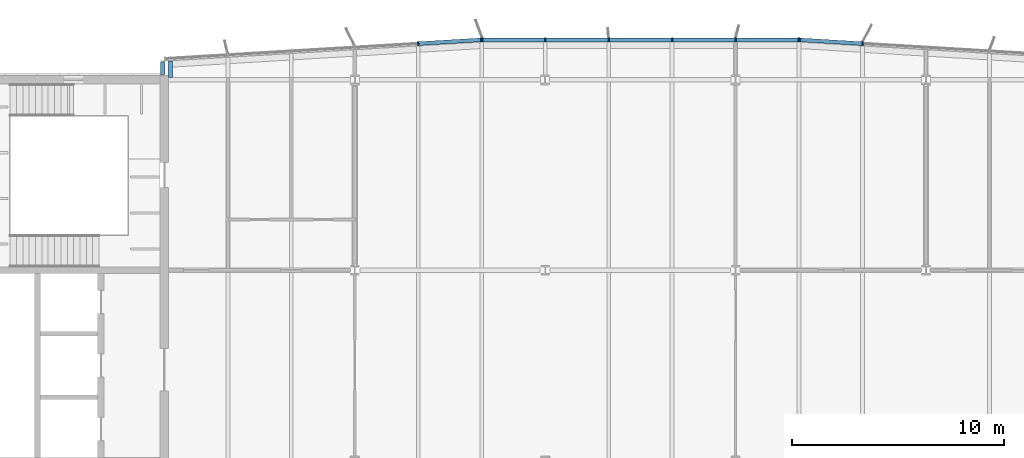
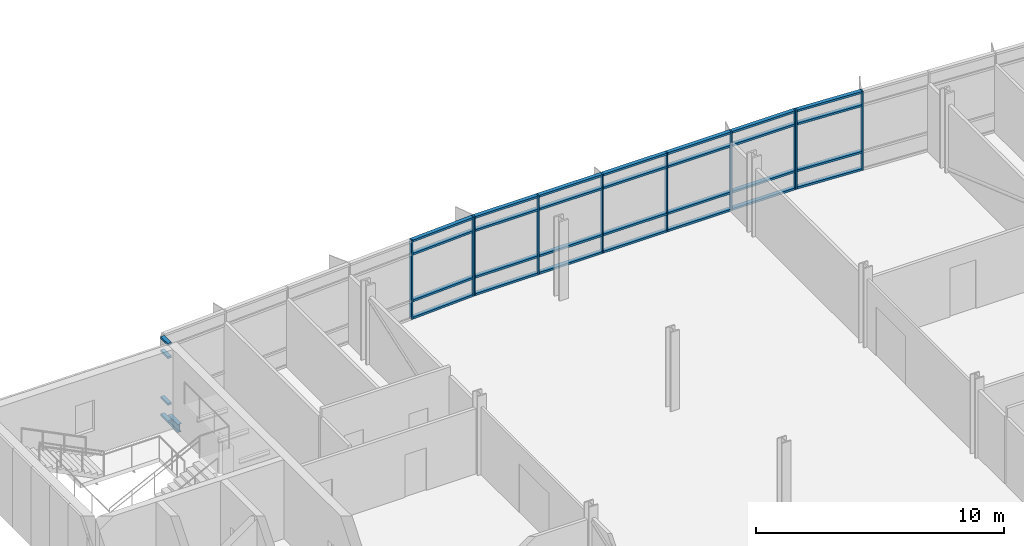
# One storey, part 9 of 21: 42 members, 1 beam, 4 elements without a shape of their own.
"""IFC4 building model written with IfcOpenShell, lengths in metres."""

from ifc_helpers import new_model, si_unit, direction, frame, origin, origin_2d, place, context, subcontext, project, spatial, rectangle, i_section, extrude, material, material_profile, profile_set, type_object, element, aggregate, save


model = new_model("IFC4")

# Units and contexts
model_context = context("Model", 3, precision=1e-05, world=origin(), true_north=direction((0.0, 1.0)))
body_context = subcontext(model_context, "Body", "Model", "MODEL_VIEW")
ifc_project = project(units=[si_unit("LENGTHUNIT", "METRE"), si_unit("AREAUNIT", "SQUARE_METRE"), si_unit("VOLUMEUNIT", "CUBIC_METRE"), si_unit("PLANEANGLEUNIT", "RADIAN"), si_unit("MASSUNIT", "GRAM", prefix="KILO")], contexts=[model_context])

# Site, building, storey
site_placement = place(None, origin())
site = spatial("IfcSite", under=ifc_project, at=site_placement, CompositionType="ELEMENT")
building_placement = place(site_placement, origin())
building = spatial("IfcBuilding", under=site, at=building_placement, Name="Azimuth Sports and Learning Centre", CompositionType="ELEMENT")
storey_placement = place(building_placement, frame((0.0, 0.0, 32.39990234375)))
storey = spatial("IfcBuildingStorey", under=building, at=storey_placement, Name="L06", CompositionType="ELEMENT", Elevation=32.39990234375)

# Beam
ifc_material_1 = material(Name="Steel S355", Category="steel")
ifc_material_profile_1 = material_profile(ifc_material_1, i_section(OverallWidth=0.179931640625, OverallDepth=0.39990234375, WebThickness=0.008544921875, FlangeThickness=0.013427734375, FilletRadius=0.02099609375, at=origin_2d()), Name="IPE 400")
ifc_profile_set_1 = profile_set([ifc_material_profile_1], Name="Steel S355")
beam_type = type_object("IfcBeamType", Name="Cantilever stub IPE 400", PredefinedType="JOIST", material=ifc_profile_set_1)
beam_placement = place(storey_placement, frame((63.2900390625, 117.110107421875, -0.329833984375), z_axis=(0.0, 1.0, 0.0), x_axis=(-1.0, 0.0, 0.0)))
element("IfcBeam", 1, at=beam_placement, inside=storey, type_object=beam_type, Name="Tower cantilever stub", PredefinedType="JOIST", context=body_context, shape_type="SweptSolid", body=[
    extrude(i_section(OverallWidth=0.179931640625, OverallDepth=0.39990234375, WebThickness=0.008544921875, FlangeThickness=0.013427734375, FilletRadius=0.02099609375, at=origin_2d()), origin(), (0.0, 0.0, 1.0), 0.787353515625),
])

# Curtain wall, members
ifc_material_2 = material(Name="Aluminium and glass", Category="aluminium")
curtain_wall_type_1 = type_object("IfcCurtainWallType", Name="Curtain wall tower north 180", PredefinedType="NOTDEFINED", material=ifc_material_2)
curtain_wall_1_placement = place(storey_placement, origin())
curtain_wall_1 = element("IfcCurtainWall", 2, at=curtain_wall_1_placement, inside=storey, type_object=curtain_wall_type_1, Name="Curtain wall CW06-007", PredefinedType="NOTDEFINED")
ifc_material_3 = material(Name="Aluminium", Category="aluminium")
ifc_material_profile_2 = material_profile(ifc_material_3, rectangle(XDim=0.179931640625, YDim=0.06005859375, at=origin_2d()), Name="Mullion 60x180")
ifc_profile_set_2 = profile_set([ifc_material_profile_2], Name="Aluminium")
member_type_1 = type_object("IfcMemberType", Name="Mullion 60x180", PredefinedType="MULLION", material=ifc_profile_set_2)
member_1_placement = place(storey_placement, frame((96.00537109375, 118.709716796875, 0.0), z_axis=(0.0, 0.0, 1.0), x_axis=(-0.059891991812, -0.998204863401, 0.0)))
member_1 = element("IfcMember", 3, at=member_1_placement, type_object=member_type_1, Name="CW06-007 mullion 5", PredefinedType="MULLION", context=body_context, shape_type="SweptSolid", body=[
    extrude(rectangle(XDim=0.179931640625, YDim=0.06005859375, at=origin_2d()), origin(), (0.0, 0.0, 1.0), 3.900146484375),
])
member_2_placement = place(storey_placement, frame((93.035400390625, 118.887939453125, 0.0), z_axis=(0.0, 0.0, 1.0), x_axis=(-0.059891991812, -0.998204863401, 0.0)))
member_2 = element("IfcMember", 4, at=member_2_placement, type_object=member_type_1, Name="CW06-007 mullion 6", PredefinedType="MULLION", context=body_context, shape_type="SweptSolid", body=[
    extrude(rectangle(XDim=0.179931640625, YDim=0.06005859375, at=origin_2d()), origin(), (0.0, 0.0, 1.0), 3.900146484375),
])

curtain_wall_2_placement = place(storey_placement, origin())
curtain_wall_2 = element("IfcCurtainWall", 5, at=curtain_wall_2_placement, inside=storey, type_object=curtain_wall_type_1, Name="Curtain wall CW06-008", PredefinedType="NOTDEFINED")
member_3_placement = place(storey_placement, frame((92.975341796875, 118.889892578125, 0.0), z_axis=(0.0, 0.0, 1.0), x_axis=(0.0, -1.0, 0.0)))
member_3 = element("IfcMember", 6, at=member_3_placement, type_object=member_type_1, Name="CW06-008 mullion 1", PredefinedType="MULLION", context=body_context, shape_type="SweptSolid", body=[
    extrude(rectangle(XDim=0.179931640625, YDim=0.06005859375, at=origin_2d()), origin(), (0.0, 0.0, 1.0), 3.900146484375),
])
member_4_placement = place(storey_placement, frame((90.0, 118.889892578125, 0.0), z_axis=(0.0, 0.0, 1.0), x_axis=(0.0, -1.0, 0.0)))
member_4 = element("IfcMember", 7, at=member_4_placement, type_object=member_type_1, Name="CW06-008 mullion 2", PredefinedType="MULLION", context=body_context, shape_type="SweptSolid", body=[
    extrude(rectangle(XDim=0.179931640625, YDim=0.06005859375, at=origin_2d()), origin(), (0.0, 0.0, 1.0), 3.900146484375),
])
member_5_placement = place(storey_placement, frame((87.0, 118.889892578125, 0.0), z_axis=(0.0, 0.0, 1.0), x_axis=(0.0, -1.0, 0.0)))
member_5 = element("IfcMember", 8, at=member_5_placement, type_object=member_type_1, Name="CW06-008 mullion 3", PredefinedType="MULLION", context=body_context, shape_type="SweptSolid", body=[
    extrude(rectangle(XDim=0.179931640625, YDim=0.06005859375, at=origin_2d()), origin(), (0.0, 0.0, 1.0), 3.900146484375),
])
member_6_placement = place(storey_placement, frame((84.0, 118.889892578125, 0.0), z_axis=(0.0, 0.0, 1.0), x_axis=(0.0, -1.0, 0.0)))
member_6 = element("IfcMember", 9, at=member_6_placement, type_object=member_type_1, Name="CW06-008 mullion 4", PredefinedType="MULLION", context=body_context, shape_type="SweptSolid", body=[
    extrude(rectangle(XDim=0.179931640625, YDim=0.06005859375, at=origin_2d()), origin(), (0.0, 0.0, 1.0), 3.900146484375),
])
member_7_placement = place(storey_placement, frame((81.0, 118.889892578125, 0.0), z_axis=(0.0, 0.0, 1.0), x_axis=(0.0, -1.0, 0.0)))
member_7 = element("IfcMember", 10, at=member_7_placement, type_object=member_type_1, Name="CW06-008 mullion 5", PredefinedType="MULLION", context=body_context, shape_type="SweptSolid", body=[
    extrude(rectangle(XDim=0.179931640625, YDim=0.06005859375, at=origin_2d()), origin(), (0.0, 0.0, 1.0), 3.900146484375),
])
member_8_placement = place(storey_placement, frame((78.030029296875, 118.889892578125, 0.0), z_axis=(0.0, 0.0, 1.0), x_axis=(0.0, -1.0, 0.0)))
member_8 = element("IfcMember", 11, at=member_8_placement, type_object=member_type_1, Name="CW06-008 mullion 6", PredefinedType="MULLION", context=body_context, shape_type="SweptSolid", body=[
    extrude(rectangle(XDim=0.179931640625, YDim=0.06005859375, at=origin_2d()), origin(), (0.0, 0.0, 1.0), 3.900146484375),
])

curtain_wall_3_placement = place(storey_placement, origin())
curtain_wall_3 = element("IfcCurtainWall", 12, at=curtain_wall_3_placement, inside=storey, type_object=curtain_wall_type_1, Name="Curtain wall CW06-009", PredefinedType="NOTDEFINED")
member_9_placement = place(storey_placement, frame((77.969970703125, 118.888427734375, 0.0), z_axis=(0.0, 0.0, 1.0), x_axis=(0.059891991812, -0.998204863401, 0.0)))
member_9 = element("IfcMember", 13, at=member_9_placement, type_object=member_type_1, Name="CW06-009 mullion 1", PredefinedType="MULLION", context=body_context, shape_type="SweptSolid", body=[
    extrude(rectangle(XDim=0.179931640625, YDim=0.06005859375, at=origin_2d()), origin(), (0.0, 0.0, 1.0), 3.900146484375),
])
member_10_placement = place(storey_placement, frame((74.99462890625, 118.7099609375, 0.0), z_axis=(0.0, 0.0, 1.0), x_axis=(0.059891991812, -0.998204863401, 0.0)))
member_10 = element("IfcMember", 14, at=member_10_placement, type_object=member_type_1, Name="CW06-009 mullion 2", PredefinedType="MULLION", context=body_context, shape_type="SweptSolid", body=[
    extrude(rectangle(XDim=0.179931640625, YDim=0.06005859375, at=origin_2d()), origin(), (0.0, 0.0, 1.0), 3.900146484375),
])

# Member
ifc_material_4 = material(Name="Aluminium", Category="aluminium")
ifc_material_profile_3 = material_profile(ifc_material_4, rectangle(XDim=0.179931640625, YDim=0.10009765625, at=origin_2d()), Name="Transom 100x180")
ifc_profile_set_3 = profile_set([ifc_material_profile_3], Name="Aluminium")
member_type_2 = type_object("IfcMemberType", Name="Transom 100x180", PredefinedType="USERDEFINED", material=ifc_profile_set_3)
member_11_placement = place(storey_placement, frame((95.975341796875, 118.711669921875, 0.050048828125), z_axis=(-0.998205846627, 0.059875602377, 0.0), x_axis=(-0.059875602377, -0.998205846627, 0.0)))
member_11 = element("IfcMember", 15, at=member_11_placement, type_object=member_type_2, Name="CW06-007 transom 5.1", ObjectType="TRANSOM", PredefinedType="USERDEFINED", context=body_context, shape_type="SweptSolid", body=[
    extrude(rectangle(XDim=0.179931640625, YDim=0.10009765625, at=origin_2d()), origin(), (0.0, 0.0, 1.0), 2.915283203125),
])

member_12_placement = place(storey_placement, frame((95.975341796875, 118.711669921875, 0.900146484375), z_axis=(-0.998205846627, 0.059875602377, 0.0), x_axis=(-0.059875602377, -0.998205846627, 0.0)))
member_12 = element("IfcMember", 16, at=member_12_placement, type_object=member_type_2, Name="CW06-007 transom 5.2", ObjectType="TRANSOM", PredefinedType="USERDEFINED", context=body_context, shape_type="SweptSolid", body=[
    extrude(rectangle(XDim=0.179931640625, YDim=0.10009765625, at=origin_2d()), origin(), (0.0, 0.0, 1.0), 2.915283203125),
])

member_13_placement = place(storey_placement, frame((95.975341796875, 118.711669921875, 3.2001953125), z_axis=(-0.998205846627, 0.059875602377, 0.0), x_axis=(-0.059875602377, -0.998205846627, 0.0)))
member_13 = element("IfcMember", 17, at=member_13_placement, type_object=member_type_2, Name="CW06-007 transom 5.3", ObjectType="TRANSOM", PredefinedType="USERDEFINED", context=body_context, shape_type="SweptSolid", body=[
    extrude(rectangle(XDim=0.179931640625, YDim=0.10009765625, at=origin_2d()), origin(), (0.0, 0.0, 1.0), 2.915283203125),
])

member_14_placement = place(storey_placement, frame((95.975341796875, 118.711669921875, 3.85009765625), z_axis=(-0.998205846627, 0.059875602377, 0.0), x_axis=(-0.059875602377, -0.998205846627, 0.0)))
member_14 = element("IfcMember", 18, at=member_14_placement, type_object=member_type_2, Name="CW06-007 transom 5.4", ObjectType="TRANSOM", PredefinedType="USERDEFINED", context=body_context, shape_type="SweptSolid", body=[
    extrude(rectangle(XDim=0.179931640625, YDim=0.10009765625, at=origin_2d()), origin(), (0.0, 0.0, 1.0), 2.915283203125),
])

aggregate(curtain_wall_1, [member_1, member_2, member_11, member_12, member_13, member_14])

member_15_placement = place(storey_placement, frame((92.9453125, 118.889892578125, 0.050048828125), z_axis=(-1.0, 0.0, 0.0), x_axis=(0.0, -1.0, 0.0)))
member_15 = element("IfcMember", 19, at=member_15_placement, type_object=member_type_2, Name="CW06-008 transom 1.1", ObjectType="TRANSOM", PredefinedType="USERDEFINED", context=body_context, shape_type="SweptSolid", body=[
    extrude(rectangle(XDim=0.179931640625, YDim=0.10009765625, at=origin_2d()), origin(), (0.0, 0.0, 1.0), 2.915283203125),
])

member_16_placement = place(storey_placement, frame((92.9453125, 118.889892578125, 0.900146484375), z_axis=(-1.0, 0.0, 0.0), x_axis=(0.0, -1.0, 0.0)))
member_16 = element("IfcMember", 20, at=member_16_placement, type_object=member_type_2, Name="CW06-008 transom 1.2", ObjectType="TRANSOM", PredefinedType="USERDEFINED", context=body_context, shape_type="SweptSolid", body=[
    extrude(rectangle(XDim=0.179931640625, YDim=0.10009765625, at=origin_2d()), origin(), (0.0, 0.0, 1.0), 2.915283203125),
])

member_17_placement = place(storey_placement, frame((92.9453125, 118.889892578125, 3.2001953125), z_axis=(-1.0, 0.0, 0.0), x_axis=(0.0, -1.0, 0.0)))
member_17 = element("IfcMember", 21, at=member_17_placement, type_object=member_type_2, Name="CW06-008 transom 1.3", ObjectType="TRANSOM", PredefinedType="USERDEFINED", context=body_context, shape_type="SweptSolid", body=[
    extrude(rectangle(XDim=0.179931640625, YDim=0.10009765625, at=origin_2d()), origin(), (0.0, 0.0, 1.0), 2.915283203125),
])

member_18_placement = place(storey_placement, frame((92.9453125, 118.889892578125, 3.85009765625), z_axis=(-1.0, 0.0, 0.0), x_axis=(0.0, -1.0, 0.0)))
member_18 = element("IfcMember", 22, at=member_18_placement, type_object=member_type_2, Name="CW06-008 transom 1.4", ObjectType="TRANSOM", PredefinedType="USERDEFINED", context=body_context, shape_type="SweptSolid", body=[
    extrude(rectangle(XDim=0.179931640625, YDim=0.10009765625, at=origin_2d()), origin(), (0.0, 0.0, 1.0), 2.915283203125),
])

member_19_placement = place(storey_placement, frame((89.969970703125, 118.889892578125, 0.050048828125), z_axis=(-1.0, 0.0, 0.0), x_axis=(0.0, -1.0, 0.0)))
member_19 = element("IfcMember", 23, at=member_19_placement, type_object=member_type_2, Name="CW06-008 transom 2.1", ObjectType="TRANSOM", PredefinedType="USERDEFINED", context=body_context, shape_type="SweptSolid", body=[
    extrude(rectangle(XDim=0.179931640625, YDim=0.10009765625, at=origin_2d()), origin(), (0.0, 0.0, 1.0), 2.93994140625),
])

member_20_placement = place(storey_placement, frame((89.969970703125, 118.889892578125, 0.900146484375), z_axis=(-1.0, 0.0, 0.0), x_axis=(0.0, -1.0, 0.0)))
member_20 = element("IfcMember", 24, at=member_20_placement, type_object=member_type_2, Name="CW06-008 transom 2.2", ObjectType="TRANSOM", PredefinedType="USERDEFINED", context=body_context, shape_type="SweptSolid", body=[
    extrude(rectangle(XDim=0.179931640625, YDim=0.10009765625, at=origin_2d()), origin(), (0.0, 0.0, 1.0), 2.93994140625),
])

member_21_placement = place(storey_placement, frame((89.969970703125, 118.889892578125, 3.2001953125), z_axis=(-1.0, 0.0, 0.0), x_axis=(0.0, -1.0, 0.0)))
member_21 = element("IfcMember", 25, at=member_21_placement, type_object=member_type_2, Name="CW06-008 transom 2.3", ObjectType="TRANSOM", PredefinedType="USERDEFINED", context=body_context, shape_type="SweptSolid", body=[
    extrude(rectangle(XDim=0.179931640625, YDim=0.10009765625, at=origin_2d()), origin(), (0.0, 0.0, 1.0), 2.93994140625),
])

member_22_placement = place(storey_placement, frame((89.969970703125, 118.889892578125, 3.85009765625), z_axis=(-1.0, 0.0, 0.0), x_axis=(0.0, -1.0, 0.0)))
member_22 = element("IfcMember", 26, at=member_22_placement, type_object=member_type_2, Name="CW06-008 transom 2.4", ObjectType="TRANSOM", PredefinedType="USERDEFINED", context=body_context, shape_type="SweptSolid", body=[
    extrude(rectangle(XDim=0.179931640625, YDim=0.10009765625, at=origin_2d()), origin(), (0.0, 0.0, 1.0), 2.93994140625),
])

member_23_placement = place(storey_placement, frame((86.969970703125, 118.889892578125, 0.050048828125), z_axis=(-1.0, 0.0, 0.0), x_axis=(0.0, -1.0, 0.0)))
member_23 = element("IfcMember", 27, at=member_23_placement, type_object=member_type_2, Name="CW06-008 transom 3.1", ObjectType="TRANSOM", PredefinedType="USERDEFINED", context=body_context, shape_type="SweptSolid", body=[
    extrude(rectangle(XDim=0.179931640625, YDim=0.10009765625, at=origin_2d()), origin(), (0.0, 0.0, 1.0), 2.93994140625),
])

member_24_placement = place(storey_placement, frame((86.969970703125, 118.889892578125, 0.900146484375), z_axis=(-1.0, 0.0, 0.0), x_axis=(0.0, -1.0, 0.0)))
member_24 = element("IfcMember", 28, at=member_24_placement, type_object=member_type_2, Name="CW06-008 transom 3.2", ObjectType="TRANSOM", PredefinedType="USERDEFINED", context=body_context, shape_type="SweptSolid", body=[
    extrude(rectangle(XDim=0.179931640625, YDim=0.10009765625, at=origin_2d()), origin(), (0.0, 0.0, 1.0), 2.93994140625),
])

member_25_placement = place(storey_placement, frame((86.969970703125, 118.889892578125, 3.2001953125), z_axis=(-1.0, 0.0, 0.0), x_axis=(0.0, -1.0, 0.0)))
member_25 = element("IfcMember", 29, at=member_25_placement, type_object=member_type_2, Name="CW06-008 transom 3.3", ObjectType="TRANSOM", PredefinedType="USERDEFINED", context=body_context, shape_type="SweptSolid", body=[
    extrude(rectangle(XDim=0.179931640625, YDim=0.10009765625, at=origin_2d()), origin(), (0.0, 0.0, 1.0), 2.93994140625),
])

member_26_placement = place(storey_placement, frame((86.969970703125, 118.889892578125, 3.85009765625), z_axis=(-1.0, 0.0, 0.0), x_axis=(0.0, -1.0, 0.0)))
member_26 = element("IfcMember", 30, at=member_26_placement, type_object=member_type_2, Name="CW06-008 transom 3.4", ObjectType="TRANSOM", PredefinedType="USERDEFINED", context=body_context, shape_type="SweptSolid", body=[
    extrude(rectangle(XDim=0.179931640625, YDim=0.10009765625, at=origin_2d()), origin(), (0.0, 0.0, 1.0), 2.93994140625),
])

member_27_placement = place(storey_placement, frame((83.969970703125, 118.889892578125, 0.050048828125), z_axis=(-1.0, 0.0, 0.0), x_axis=(0.0, -1.0, 0.0)))
member_27 = element("IfcMember", 31, at=member_27_placement, type_object=member_type_2, Name="CW06-008 transom 4.1", ObjectType="TRANSOM", PredefinedType="USERDEFINED", context=body_context, shape_type="SweptSolid", body=[
    extrude(rectangle(XDim=0.179931640625, YDim=0.10009765625, at=origin_2d()), origin(), (0.0, 0.0, 1.0), 2.93994140625),
])

member_28_placement = place(storey_placement, frame((83.969970703125, 118.889892578125, 0.900146484375), z_axis=(-1.0, 0.0, 0.0), x_axis=(0.0, -1.0, 0.0)))
member_28 = element("IfcMember", 32, at=member_28_placement, type_object=member_type_2, Name="CW06-008 transom 4.2", ObjectType="TRANSOM", PredefinedType="USERDEFINED", context=body_context, shape_type="SweptSolid", body=[
    extrude(rectangle(XDim=0.179931640625, YDim=0.10009765625, at=origin_2d()), origin(), (0.0, 0.0, 1.0), 2.93994140625),
])

member_29_placement = place(storey_placement, frame((83.969970703125, 118.889892578125, 3.2001953125), z_axis=(-1.0, 0.0, 0.0), x_axis=(0.0, -1.0, 0.0)))
member_29 = element("IfcMember", 33, at=member_29_placement, type_object=member_type_2, Name="CW06-008 transom 4.3", ObjectType="TRANSOM", PredefinedType="USERDEFINED", context=body_context, shape_type="SweptSolid", body=[
    extrude(rectangle(XDim=0.179931640625, YDim=0.10009765625, at=origin_2d()), origin(), (0.0, 0.0, 1.0), 2.93994140625),
])

member_30_placement = place(storey_placement, frame((83.969970703125, 118.889892578125, 3.85009765625), z_axis=(-1.0, 0.0, 0.0), x_axis=(0.0, -1.0, 0.0)))
member_30 = element("IfcMember", 34, at=member_30_placement, type_object=member_type_2, Name="CW06-008 transom 4.4", ObjectType="TRANSOM", PredefinedType="USERDEFINED", context=body_context, shape_type="SweptSolid", body=[
    extrude(rectangle(XDim=0.179931640625, YDim=0.10009765625, at=origin_2d()), origin(), (0.0, 0.0, 1.0), 2.93994140625),
])

member_31_placement = place(storey_placement, frame((80.969970703125, 118.889892578125, 0.050048828125), z_axis=(-1.0, 0.0, 0.0), x_axis=(0.0, -1.0, 0.0)))
member_31 = element("IfcMember", 35, at=member_31_placement, type_object=member_type_2, Name="CW06-008 transom 5.1", ObjectType="TRANSOM", PredefinedType="USERDEFINED", context=body_context, shape_type="SweptSolid", body=[
    extrude(rectangle(XDim=0.179931640625, YDim=0.10009765625, at=origin_2d()), origin(), (0.0, 0.0, 1.0), 2.909912109375),
])

member_32_placement = place(storey_placement, frame((80.969970703125, 118.889892578125, 0.900146484375), z_axis=(-1.0, 0.0, 0.0), x_axis=(0.0, -1.0, 0.0)))
member_32 = element("IfcMember", 36, at=member_32_placement, type_object=member_type_2, Name="CW06-008 transom 5.2", ObjectType="TRANSOM", PredefinedType="USERDEFINED", context=body_context, shape_type="SweptSolid", body=[
    extrude(rectangle(XDim=0.179931640625, YDim=0.10009765625, at=origin_2d()), origin(), (0.0, 0.0, 1.0), 2.909912109375),
])

member_33_placement = place(storey_placement, frame((80.969970703125, 118.889892578125, 3.2001953125), z_axis=(-1.0, 0.0, 0.0), x_axis=(0.0, -1.0, 0.0)))
member_33 = element("IfcMember", 37, at=member_33_placement, type_object=member_type_2, Name="CW06-008 transom 5.3", ObjectType="TRANSOM", PredefinedType="USERDEFINED", context=body_context, shape_type="SweptSolid", body=[
    extrude(rectangle(XDim=0.179931640625, YDim=0.10009765625, at=origin_2d()), origin(), (0.0, 0.0, 1.0), 2.909912109375),
])

member_34_placement = place(storey_placement, frame((80.969970703125, 118.889892578125, 3.85009765625), z_axis=(-1.0, 0.0, 0.0), x_axis=(0.0, -1.0, 0.0)))
member_34 = element("IfcMember", 38, at=member_34_placement, type_object=member_type_2, Name="CW06-008 transom 5.4", ObjectType="TRANSOM", PredefinedType="USERDEFINED", context=body_context, shape_type="SweptSolid", body=[
    extrude(rectangle(XDim=0.179931640625, YDim=0.10009765625, at=origin_2d()), origin(), (0.0, 0.0, 1.0), 2.909912109375),
])

aggregate(curtain_wall_2, [member_3, member_4, member_5, member_6, member_7, member_8, member_15, member_16, member_17, member_18, member_19, member_20, member_21, member_22, member_23, member_24, member_25, member_26, member_27, member_28, member_29, member_30, member_31, member_32, member_33, member_34])

member_35_placement = place(storey_placement, frame((77.940185546875, 118.886474609375, 0.050048828125), z_axis=(-0.998207443116, -0.059848980847, 0.0), x_axis=(0.059848980847, -0.998207443116, 0.0)))
member_35 = element("IfcMember", 39, at=member_35_placement, type_object=member_type_2, Name="CW06-009 transom 1.1", ObjectType="TRANSOM", PredefinedType="USERDEFINED", context=body_context, shape_type="SweptSolid", body=[
    extrude(rectangle(XDim=0.179931640625, YDim=0.10009765625, at=origin_2d()), origin(), (0.0, 0.0, 1.0), 2.920654296875),
])

member_36_placement = place(storey_placement, frame((77.940185546875, 118.886474609375, 0.900146484375), z_axis=(-0.998207443116, -0.059848980847, 0.0), x_axis=(0.059848980847, -0.998207443116, 0.0)))
member_36 = element("IfcMember", 40, at=member_36_placement, type_object=member_type_2, Name="CW06-009 transom 1.2", ObjectType="TRANSOM", PredefinedType="USERDEFINED", context=body_context, shape_type="SweptSolid", body=[
    extrude(rectangle(XDim=0.179931640625, YDim=0.10009765625, at=origin_2d()), origin(), (0.0, 0.0, 1.0), 2.920654296875),
])

member_37_placement = place(storey_placement, frame((77.940185546875, 118.886474609375, 3.2001953125), z_axis=(-0.998207443116, -0.059848980847, 0.0), x_axis=(0.059848980847, -0.998207443116, 0.0)))
member_37 = element("IfcMember", 41, at=member_37_placement, type_object=member_type_2, Name="CW06-009 transom 1.3", ObjectType="TRANSOM", PredefinedType="USERDEFINED", context=body_context, shape_type="SweptSolid", body=[
    extrude(rectangle(XDim=0.179931640625, YDim=0.10009765625, at=origin_2d()), origin(), (0.0, 0.0, 1.0), 2.920654296875),
])

member_38_placement = place(storey_placement, frame((77.940185546875, 118.886474609375, 3.85009765625), z_axis=(-0.998207443116, -0.059848980847, 0.0), x_axis=(0.059848980847, -0.998207443116, 0.0)))
member_38 = element("IfcMember", 42, at=member_38_placement, type_object=member_type_2, Name="CW06-009 transom 1.4", ObjectType="TRANSOM", PredefinedType="USERDEFINED", context=body_context, shape_type="SweptSolid", body=[
    extrude(rectangle(XDim=0.179931640625, YDim=0.10009765625, at=origin_2d()), origin(), (0.0, 0.0, 1.0), 2.920654296875),
])

aggregate(curtain_wall_3, [member_9, member_10, member_35, member_36, member_37, member_38])

# Curtain wall, members
ifc_material_5 = material(Name="Aluminium and glass", Category="aluminium")
curtain_wall_type_2 = type_object("IfcCurtainWallType", Name="Curtain wall tower return 180", PredefinedType="NOTDEFINED", material=ifc_material_5)
curtain_wall_4_placement = place(storey_placement, origin())
curtain_wall_4 = element("IfcCurtainWall", 43, at=curtain_wall_4_placement, inside=storey, type_object=curtain_wall_type_2, Name="Curtain wall CW06-010", PredefinedType="NOTDEFINED")
member_39_placement = place(storey_placement, frame((62.909912109375, 117.840087890625, 0.050048828125), z_axis=(0.0, -1.0, 0.0), x_axis=(1.0, 0.0, 0.0)))
member_39 = element("IfcMember", 44, at=member_39_placement, type_object=member_type_2, Name="CW06-010 transom 1.1", ObjectType="TRANSOM", PredefinedType="USERDEFINED", context=body_context, shape_type="SweptSolid", body=[
    extrude(rectangle(XDim=0.179931640625, YDim=0.10009765625, at=origin_2d()), origin(), (0.0, 0.0, 1.0), 0.580078125),
])
member_40_placement = place(storey_placement, frame((62.909912109375, 117.840087890625, 0.900146484375), z_axis=(0.0, -1.0, 0.0), x_axis=(1.0, 0.0, 0.0)))
member_40 = element("IfcMember", 45, at=member_40_placement, type_object=member_type_2, Name="CW06-010 transom 1.2", ObjectType="TRANSOM", PredefinedType="USERDEFINED", context=body_context, shape_type="SweptSolid", body=[
    extrude(rectangle(XDim=0.179931640625, YDim=0.10009765625, at=origin_2d()), origin(), (0.0, 0.0, 1.0), 0.580078125),
])
member_41_placement = place(storey_placement, frame((62.909912109375, 117.840087890625, 3.2001953125), z_axis=(0.0, -1.0, 0.0), x_axis=(1.0, 0.0, 0.0)))
member_41 = element("IfcMember", 46, at=member_41_placement, type_object=member_type_2, Name="CW06-010 transom 1.3", ObjectType="TRANSOM", PredefinedType="USERDEFINED", context=body_context, shape_type="SweptSolid", body=[
    extrude(rectangle(XDim=0.179931640625, YDim=0.10009765625, at=origin_2d()), origin(), (0.0, 0.0, 1.0), 0.580078125),
])
member_42_placement = place(storey_placement, frame((62.909912109375, 117.840087890625, 3.85009765625), z_axis=(0.0, -1.0, 0.0), x_axis=(1.0, 0.0, 0.0)))
member_42 = element("IfcMember", 47, at=member_42_placement, type_object=member_type_2, Name="CW06-010 transom 1.4", ObjectType="TRANSOM", PredefinedType="USERDEFINED", context=body_context, shape_type="SweptSolid", body=[
    extrude(rectangle(XDim=0.179931640625, YDim=0.10009765625, at=origin_2d()), origin(), (0.0, 0.0, 1.0), 0.580078125),
])
aggregate(curtain_wall_4, [member_39, member_40, member_41, member_42])

save(model, "model.ifc")
